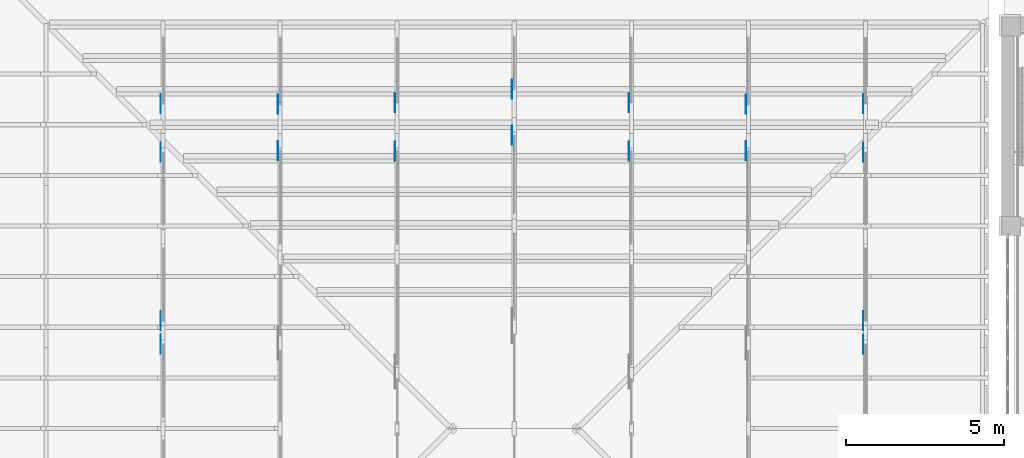
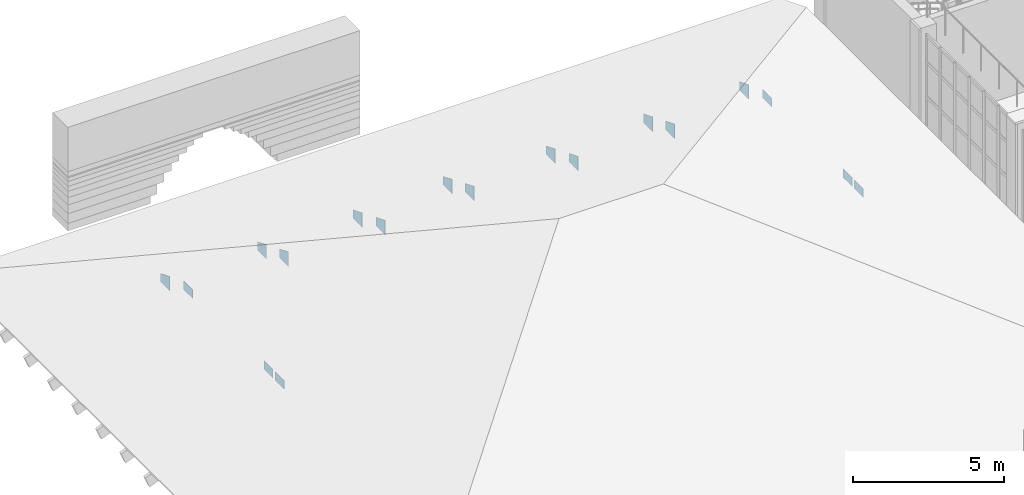
# One storey, part 41 of 68: 18 discrete accessories.
"""IFC4 building model written with IfcOpenShell, lengths in metres."""

import ifcopenshell
import ifcopenshell.guid

model = None  # the IFC model being written
_history = None  # IfcOwnerHistory: only IFC2X3 demands one
_inside = {}  # id of a spatial element -> (the spatial element, [elements in it])
_under = {}  # id of a project, library or spatial element -> (it, [spatial elements below it])
_declared = {}  # id of a project -> (the project, [libraries it declares])
_typed = {}  # id of a type object -> (the type object, [elements of that type])
_made_of = {}  # id of a material, layer set ... -> (it, [elements and type objects made of it])


def new_model(schema):
    """Start an empty IFC model of exactly this schema.

    Asked for "IFC4X3", IfcOpenShell would pick the latest addendum, in which some entities
    have other attributes; the version numbers below select the first issue.
    IFC2X3 requires an IfcOwnerHistory on every rooted entity: one is made here for all.
    """
    global model, _history
    if schema == "IFC4X3":
        model = ifcopenshell.file(schema_version=(4, 3, 0, 0))
    else:
        model = ifcopenshell.file(schema=schema)
    _inside.clear()
    _under.clear()
    _declared.clear()
    _typed.clear()
    _made_of.clear()
    _history = None
    if model.schema == "IFC2X3":
        org = make("IfcOrganization", Name="unknown")
        user = make(
            "IfcPersonAndOrganization",
            ThePerson=make("IfcPerson", FamilyName="unknown"),
            TheOrganization=org,
        )
        app = make(
            "IfcApplication",
            ApplicationDeveloper=org,
            Version="unknown",
            ApplicationFullName="unknown",
            ApplicationIdentifier="unknown",
        )
        _history = make(
            "IfcOwnerHistory",
            OwningUser=user,
            OwningApplication=app,
            ChangeAction="ADDED",
            CreationDate=0,
        )
    return model


def make(cls, **values):
    """One entity of the class cls with the attributes given. An attribute that is None is left unset."""
    return model.create_entity(
        cls, **{name: value for name, value in values.items() if value is not None}
    )


def rooted(cls, **values):
    """An entity with a GlobalId (a new one), such as an element, a storey or a relation."""
    return make(cls, GlobalId=ifcopenshell.guid.new(), OwnerHistory=_history, **values)


def si_unit(unit_type, name, prefix=None):
    """IfcSIUnit, for example si_unit("LENGTHUNIT", "METRE", prefix="MILLI")."""
    return make("IfcSIUnit", UnitType=unit_type, Prefix=prefix, Name=name)


def assignment(units):
    """IfcUnitAssignment: the units of a project."""
    return None if units is None else make("IfcUnitAssignment", Units=units)


def point(xyz):
    """IfcCartesianPoint."""
    return None if xyz is None else make("IfcCartesianPoint", Coordinates=xyz)


def direction(xyz):
    """IfcDirection."""
    return None if xyz is None else make("IfcDirection", DirectionRatios=xyz)


def frame(location, z_axis=None, x_axis=None):
    """IfcAxis2Placement3D, a coordinate frame: its origin and axes. An axis left out is left unset."""
    return make(
        "IfcAxis2Placement3D",
        Location=point(location),
        Axis=direction(z_axis),
        RefDirection=direction(x_axis),
    )


def origin():
    """The frame at (0, 0, 0) with its axes left unset."""
    return frame((0.0, 0.0, 0.0))


def place(relative_to, where):
    """IfcLocalPlacement: puts the frame where relative to a parent placement (None: the world)."""
    return make(
        "IfcLocalPlacement", PlacementRelTo=relative_to, RelativePlacement=where
    )


def context(
    kind, dimensions, precision=None, world=None, true_north=None, identifier=None
):
    """IfcGeometricRepresentationContext, for example the 3D "Model" context."""
    return make(
        "IfcGeometricRepresentationContext",
        ContextIdentifier=identifier,
        ContextType=kind,
        CoordinateSpaceDimension=dimensions,
        Precision=precision,
        WorldCoordinateSystem=world,
        TrueNorth=true_north,
    )


def subcontext(parent, identifier, kind, view, scale=None):
    """IfcGeometricRepresentationSubContext, for example "Body" below "Model"."""
    return make(
        "IfcGeometricRepresentationSubContext",
        ContextIdentifier=identifier,
        ContextType=kind,
        ParentContext=parent,
        TargetScale=scale,
        TargetView=view,
    )


def project(units=None, contexts=None):
    """IfcProject with its units and contexts."""
    return rooted(
        "IfcProject",
        Name="project",
        RepresentationContexts=contexts,
        UnitsInContext=assignment(units),
    )


def spatial(cls, under=None, at=None, **own):
    """A site, building, storey or space (cls), placed at a placement, below another one or the project."""
    s = rooted(cls, ObjectPlacement=at, **own)
    if under is not None:
        _under.setdefault(under.id(), (under, []))[1].append(s)
    return s


def polyline(points):
    """IfcPolyline through the points."""
    return make("IfcPolyline", Points=[point(p) for p in points])


def outline(outer, holes=None, kind="AREA"):
    """IfcArbitraryClosedProfileDef: a profile drawn as a closed curve; with holes, ...WithVoids."""
    if holes is None:
        return make("IfcArbitraryClosedProfileDef", ProfileType=kind, OuterCurve=outer)
    return make(
        "IfcArbitraryProfileDefWithVoids",
        ProfileType=kind,
        OuterCurve=outer,
        InnerCurves=holes,
    )


def extrude(swept, where, along, depth):
    """IfcExtrudedAreaSolid: the profile swept, set in the frame where, extruded along a direction by depth."""
    return make(
        "IfcExtrudedAreaSolid",
        SweptArea=swept,
        Position=where,
        ExtrudedDirection=direction(along),
        Depth=depth,
    )


def shape(context_of_items, identifier, shape_type, items):
    """IfcShapeRepresentation: the items that make up one representation, for example the "Body"."""
    return make(
        "IfcShapeRepresentation",
        ContextOfItems=context_of_items,
        RepresentationIdentifier=identifier,
        RepresentationType=shape_type,
        Items=items,
    )


def made_of(thing, what):
    """Note that an element or type object is made of a material, layer set ...; save() writes the relation."""
    if what is not None:
        _made_of.setdefault(what.id(), (what, []))[1].append(thing)
    return thing


def element(
    cls,
    number,
    at=None,
    inside=None,
    cuts=None,
    type_object=None,
    material=None,
    context=None,
    identifier="Body",
    shape_type=None,
    held_by="IfcProductDefinitionShape",
    body=None,
    shapes=None,
    **own,
):
    """One element of the class cls, such as IfcWall. Its Tag is "e" and its number.

    at: its placement. inside: the storey or other place that contains it. cuts: it is an
    opening in that element (IfcRelVoidsElement). A single representation is given by context,
    identifier, shape_type and body (its items); several are given by shapes. held_by: the class
    of the entity that holds the representations. save() writes the other relations.
    """
    e = rooted(cls, Tag="e%d" % number, ObjectPlacement=at, **own)
    if body is not None:
        shapes = [shape(context, identifier, shape_type, body)]
    if shapes is not None:
        e.Representation = make(held_by, Representations=shapes)
    if inside is not None:
        _inside.setdefault(inside.id(), (inside, []))[1].append(e)
    if cuts is not None:
        rooted(
            "IfcRelVoidsElement", RelatingBuildingElement=cuts, RelatedOpeningElement=e
        )
    if type_object is not None:
        _typed.setdefault(type_object.id(), (type_object, []))[1].append(e)
    return made_of(e, material)


def aggregate(whole, parts):
    """IfcRelAggregates: a whole, such as a stair, and the parts it consists of."""
    return rooted("IfcRelAggregates", RelatingObject=whole, RelatedObjects=parts)


def save(model, path):
    """Write the relations noted so far, then the file.

    IfcRelAggregates (storeys below a building ...), IfcRelContainedInSpatialStructure (elements
    in a storey), IfcRelDefinesByType, IfcRelAssociatesMaterial and IfcRelDeclares: one each for
    every whole, place, type object, material and project.
    """
    for whole, parts in _under.values():
        aggregate(whole, parts)
    for where, things in _inside.values():
        rooted(
            "IfcRelContainedInSpatialStructure",
            RelatedElements=things,
            RelatingStructure=where,
        )
    for kind, things in _typed.values():
        rooted("IfcRelDefinesByType", RelatedObjects=things, RelatingType=kind)
    for what, things in _made_of.values():
        rooted("IfcRelAssociatesMaterial", RelatedObjects=things, RelatingMaterial=what)
    for by, libraries in _declared.values():
        rooted("IfcRelDeclares", RelatingContext=by, RelatedDefinitions=libraries)
    model.write(path)


model = new_model("IFC4")

# Units and contexts
model_context = context("Model", 3, precision=1e-05, world=origin(), true_north=direction((0.0, 1.0)))
body_context = subcontext(model_context, "Body", "Model", "MODEL_VIEW")
ifc_project = project(units=[si_unit("LENGTHUNIT", "METRE"), si_unit("AREAUNIT", "SQUARE_METRE"), si_unit("VOLUMEUNIT", "CUBIC_METRE"), si_unit("PLANEANGLEUNIT", "RADIAN"), si_unit("MASSUNIT", "GRAM", prefix="KILO")], contexts=[model_context])

# Site, building, storey
site_placement = place(None, origin())
site = spatial("IfcSite", under=ifc_project, at=site_placement, CompositionType="ELEMENT")
building_placement = place(site_placement, origin())
building = spatial("IfcBuilding", under=site, at=building_placement, Name="Wasatch Bagh Community Centre", CompositionType="ELEMENT")
storey_placement = place(building_placement, frame((0.0, 0.0, 8.39990234375)))
storey = spatial("IfcBuildingStorey", under=building, at=storey_placement, Name="L02", CompositionType="ELEMENT", Elevation=8.39990234375)

# Discrete accessories
for number, where, z_axis, x_axis, name in (
    (1, (69.822509765625, 21.3623046875, 1.494384765625), (-1.0, 0.0, 0.0), (0.0, 1.0, 0.0), "Gusset plate"),
    (2, (69.822509765625, 22.104248046875, 1.494384765625), (-1.0, 0.0, 0.0), (0.0, 1.0, 0.0), "Gusset plate"),
):
    element("IfcDiscreteAccessory", number, at=place(storey_placement, frame(where, z_axis=z_axis, x_axis=x_axis)), inside=storey, Name=name, PredefinedType="BRACKET", context=body_context, shape_type="SweptSolid", body=[
        extrude(outline(polyline([(0.0, 0.0), (0.60009765625, 0.0), (0.60009765625, 0.349853515625), (0.0, 0.349853515625), (0.0, 0.0)])), origin(), (0.0, 0.0, -1.0), 0.011962890625),
    ])
discrete_accessory_1_placement = place(storey_placement, frame((69.822509765625, 27.428955078125, 1.4912109375), z_axis=(-1.0, 0.0, 0.0), x_axis=(0.0, 0.999978814808, -0.006509219299)))
element("IfcDiscreteAccessory", 3, at=discrete_accessory_1_placement, inside=storey, Name="Gusset plate", PredefinedType="BRACKET", context=body_context, shape_type="SweptSolid", body=[
    extrude(outline(polyline([(0.0, 0.0), (0.600110369703612, 0.0), (0.6023892321242064, 0.350090239363812), (0.0023042890584810704, 0.3539964066091544), (0.0, 0.0)])), origin(), (0.0, 0.0, -1.0), 0.011962890625),
])
discrete_accessory_2_placement = place(storey_placement, frame((69.822509765625, 28.962890625, 1.110107421875), z_axis=(-1.0, 0.0, 0.0), x_axis=(0.0, 0.927143538775, -0.374706363046)))
element("IfcDiscreteAccessory", 4, at=discrete_accessory_2_placement, inside=storey, Name="Gusset plate", PredefinedType="BRACKET", context=body_context, shape_type="SweptSolid", body=[
    extrude(outline(polyline([(0.0, 0.0), (0.646990989569253, -2.7755575615628914e-17), (0.7781748090536045, 0.3245907799325795), (0.2220244978302099, 0.5493597091327549), (0.0, 0.0)])), origin(), (0.0, 0.0, -1.0), 0.011962890625),
])
discrete_accessory_3_placement = place(storey_placement, frame((73.5224609375, 27.4814453125, 1.70849609375), z_axis=(-1.0, 0.0, 0.0), x_axis=(0.0, 0.92706544536, -0.374899533234)))
element("IfcDiscreteAccessory", 5, at=discrete_accessory_3_placement, inside=storey, Name="Gusset plate", PredefinedType="BRACKET", context=body_context, shape_type="SweptSolid", body=[
    extrude(outline(polyline([(0.0, 0.0), (0.6473088380688472, 0.0), (0.7785602859831524, 0.3245634396110283), (0.22223048503203138, 0.5495397708337355), (0.0, 0.0)])), origin(), (0.0, 0.0, -1.0), 0.011962890625),
])
discrete_accessory_4_placement = place(storey_placement, frame((73.5224609375, 28.94189453125, 1.114990234375), z_axis=(-1.0, 0.0, 0.0), x_axis=(0.0, 0.926014333695, -0.377488349212)))
element("IfcDiscreteAccessory", 6, at=discrete_accessory_4_placement, inside=storey, Name="Gusset plate", PredefinedType="BRACKET", context=body_context, shape_type="SweptSolid", body=[
    extrude(outline(polyline([(0.0, 0.0), (0.6480435932943203, -2.7755575615628914e-17), (0.7802013796150767, 0.32419544788065796), (0.22450234831057372, 0.5507253215043814), (0.0, 0.0)])), origin(), (0.0, 0.0, -1.0), 0.011962890625),
])
for number, where, z_axis, x_axis, name in (
    (7, (77.222412109375, 27.4697265625, 1.701416015625), (-1.0, 0.0, 0.0), (0.0, 0.926014333695, -0.377488349212), "Gusset plate"),
    (8, (77.222412109375, 28.996826171875, 1.078857421875), (-1.0, 0.0, 0.0), (0.0, 0.926014333695, -0.377488349212), "Gusset plate"),
):
    element("IfcDiscreteAccessory", number, at=place(storey_placement, frame(where, z_axis=z_axis, x_axis=x_axis)), inside=storey, Name=name, PredefinedType="BRACKET", context=body_context, shape_type="SweptSolid", body=[
        extrude(outline(polyline([(0.0, 0.0), (0.6480435932943203, -2.7755575615628914e-17), (0.7801092193735699, 0.3239693701624707), (0.22441018806906693, 0.5504992437861941), (0.0, 0.0)])), origin(), (0.0, 0.0, -1.0), 0.011962890625),
    ])
discrete_accessory_5_placement = place(storey_placement, frame((80.92236328125, 27.961181640625, 1.48193359375), z_axis=(-1.0, 0.0, 0.0), x_axis=(0.0, 0.925354939309, -0.379101881157)))
element("IfcDiscreteAccessory", 9, at=discrete_accessory_5_placement, inside=storey, Name="Gusset plate", PredefinedType="BRACKET", context=body_context, shape_type="SweptSolid", body=[
    extrude(outline(polyline([(0.0, 0.0), (0.6485053796743581, 0.0), (0.7812280597473986, 0.3239645954513741), (0.22592472946882292, 0.551462745813671), (0.0, 0.0)])), origin(), (0.0, 0.0, -1.0), 0.011962890625),
])
discrete_accessory_6_placement = place(storey_placement, frame((80.92236328125, 29.4208984375, 0.8837890625), z_axis=(-1.0, 0.0, 0.0), x_axis=(0.0, 0.925486967904, -0.378779450656)))
element("IfcDiscreteAccessory", 10, at=discrete_accessory_6_placement, inside=storey, Name="Gusset plate", PredefinedType="BRACKET", context=body_context, shape_type="SweptSolid", body=[
    extrude(outline(polyline([(0.0, 0.0), (0.6484128648605381, 0.0), (0.781022662770781, 0.3240108183532576), (0.22564010244141755, 0.5513154789274397), (0.0, 0.0)])), origin(), (0.0, 0.0, -1.0), 0.011962890625),
])
for number, where, z_axis, x_axis, name in (
    (11, (84.622314453125, 27.4697265625, 1.701416015625), (-1.0, 0.0, 0.0), (0.0, 0.926014333695, -0.377488349212), "Gusset plate"),
    (12, (84.622314453125, 28.996826171875, 1.078857421875), (-1.0, 0.0, 0.0), (0.0, 0.926014333695, -0.377488349212), "Gusset plate"),
):
    element("IfcDiscreteAccessory", number, at=place(storey_placement, frame(where, z_axis=z_axis, x_axis=x_axis)), inside=storey, Name=name, PredefinedType="BRACKET", context=body_context, shape_type="SweptSolid", body=[
        extrude(outline(polyline([(0.0, 0.0), (0.6480435932943203, -2.7755575615628914e-17), (0.7801092193735699, 0.3239693701624707), (0.22441018806906693, 0.5504992437861941), (0.0, 0.0)])), origin(), (0.0, 0.0, -1.0), 0.011962890625),
    ])
discrete_accessory_7_placement = place(storey_placement, frame((88.322509765625, 27.4814453125, 1.70849609375), z_axis=(-1.0, 0.0, 0.0), x_axis=(0.0, 0.92706544536, -0.374899533234)))
element("IfcDiscreteAccessory", 13, at=discrete_accessory_7_placement, inside=storey, Name="Gusset plate", PredefinedType="BRACKET", context=body_context, shape_type="SweptSolid", body=[
    extrude(outline(polyline([(0.0, 0.0), (0.6473088380688472, 0.0), (0.7785602859831524, 0.3245634396110283), (0.22223048503203138, 0.5495397708337355), (0.0, 0.0)])), origin(), (0.0, 0.0, -1.0), 0.011962890625),
])
discrete_accessory_8_placement = place(storey_placement, frame((88.322509765625, 28.94189453125, 1.114990234375), z_axis=(-1.0, 0.0, 0.0), x_axis=(0.0, 0.926014333695, -0.377488349212)))
element("IfcDiscreteAccessory", 14, at=discrete_accessory_8_placement, inside=storey, Name="Gusset plate", PredefinedType="BRACKET", context=body_context, shape_type="SweptSolid", body=[
    extrude(outline(polyline([(0.0, 0.0), (0.6480435932943203, -2.7755575615628914e-17), (0.7802013796150767, 0.32419544788065796), (0.22450234831057372, 0.5507253215043814), (0.0, 0.0)])), origin(), (0.0, 0.0, -1.0), 0.011962890625),
])
for number, where, z_axis, x_axis, name in (
    (15, (92.0224609375, 21.3623046875, 1.494384765625), (-1.0, 0.0, 0.0), (0.0, 1.0, 0.0), "Gusset plate"),
    (16, (92.0224609375, 22.104248046875, 1.494384765625), (-1.0, 0.0, 0.0), (0.0, 1.0, 0.0), "Gusset plate"),
):
    element("IfcDiscreteAccessory", number, at=place(storey_placement, frame(where, z_axis=z_axis, x_axis=x_axis)), inside=storey, Name=name, PredefinedType="BRACKET", context=body_context, shape_type="SweptSolid", body=[
        extrude(outline(polyline([(0.0, 0.0), (0.60009765625, 0.0), (0.60009765625, 0.349853515625), (0.0, 0.349853515625), (0.0, 0.0)])), origin(), (0.0, 0.0, -1.0), 0.011962890625),
    ])
discrete_accessory_9_placement = place(storey_placement, frame((92.0224609375, 27.428955078125, 1.4912109375), z_axis=(-1.0, 0.0, 0.0), x_axis=(0.0, 0.999978814808, -0.006509219299)))
element("IfcDiscreteAccessory", 17, at=discrete_accessory_9_placement, inside=storey, Name="Gusset plate", PredefinedType="BRACKET", context=body_context, shape_type="SweptSolid", body=[
    extrude(outline(polyline([(0.0, 0.0), (0.600110369703612, 0.0), (0.6023892321242064, 0.350090239363812), (0.0023042890584810704, 0.3539964066091544), (0.0, 0.0)])), origin(), (0.0, 0.0, -1.0), 0.011962890625),
])
discrete_accessory_10_placement = place(storey_placement, frame((92.0224609375, 28.962890625, 1.110107421875), z_axis=(-1.0, 0.0, 0.0), x_axis=(0.0, 0.927143538775, -0.374706363046)))
element("IfcDiscreteAccessory", 18, at=discrete_accessory_10_placement, inside=storey, Name="Gusset plate", PredefinedType="BRACKET", context=body_context, shape_type="SweptSolid", body=[
    extrude(outline(polyline([(0.0, 0.0), (0.646990989569253, -2.7755575615628914e-17), (0.7781748090536045, 0.3245907799325795), (0.2220244978302099, 0.5493597091327549), (0.0, 0.0)])), origin(), (0.0, 0.0, -1.0), 0.011962890625),
])

save(model, "model.ifc")
